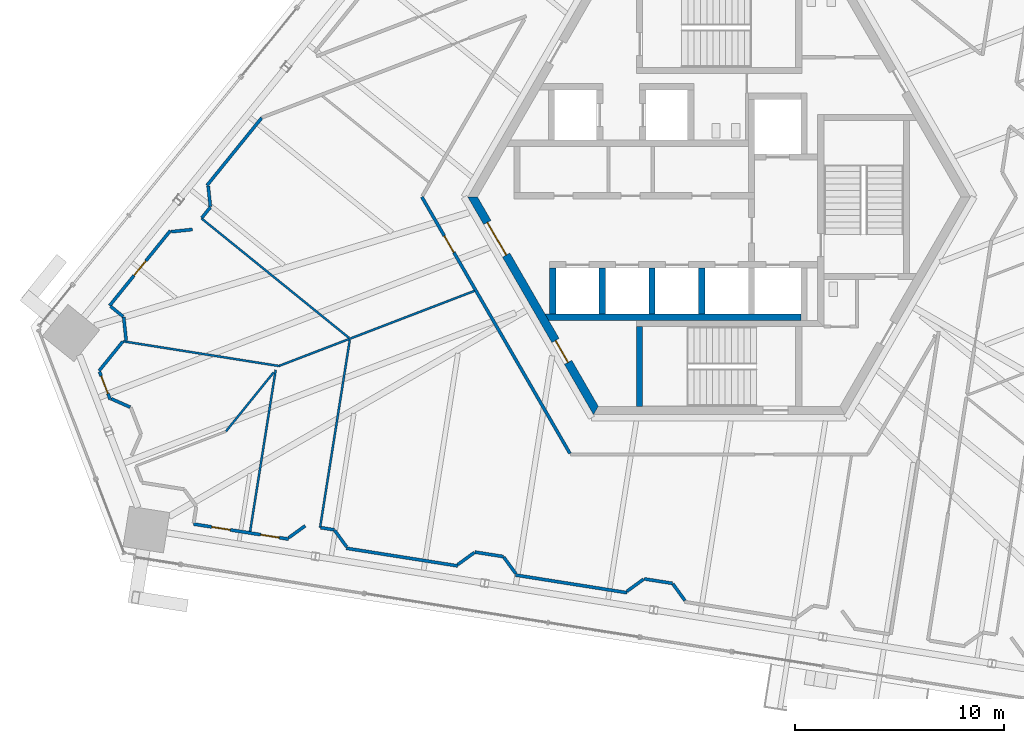
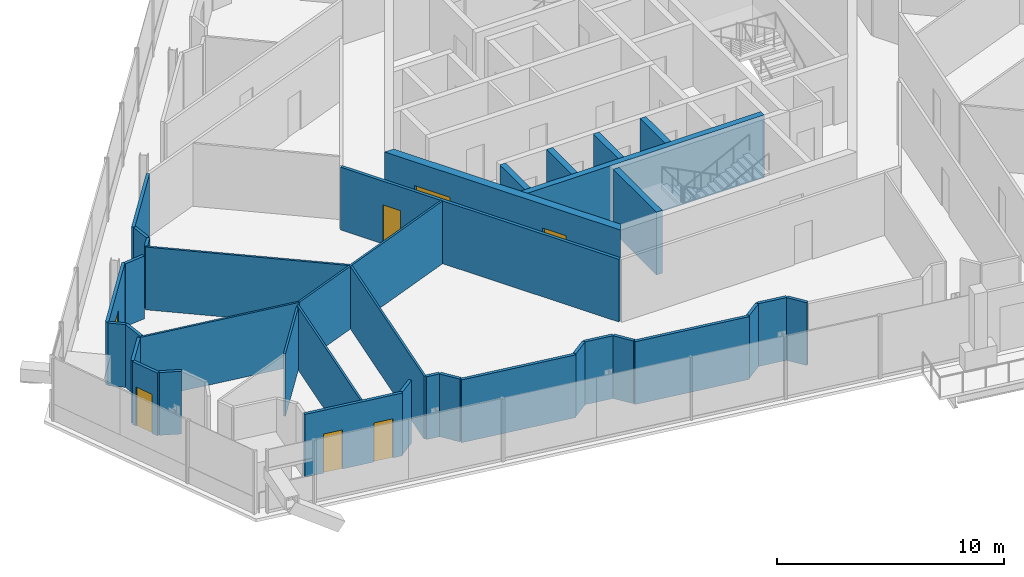
# One storey, part 13 of 23: 36 walls, 7 doors, 7 openings.
"""IFC4 building model written with IfcOpenShell, lengths in metres."""

import ifcopenshell
import ifcopenshell.guid

model = None  # the IFC model being written
_history = None  # IfcOwnerHistory: only IFC2X3 demands one
_inside = {}  # id of a spatial element -> (the spatial element, [elements in it])
_under = {}  # id of a project, library or spatial element -> (it, [spatial elements below it])
_declared = {}  # id of a project -> (the project, [libraries it declares])
_typed = {}  # id of a type object -> (the type object, [elements of that type])
_made_of = {}  # id of a material, layer set ... -> (it, [elements and type objects made of it])


def new_model(schema):
    """Start an empty IFC model of exactly this schema.

    Asked for "IFC4X3", IfcOpenShell would pick the latest addendum, in which some entities
    have other attributes; the version numbers below select the first issue.
    IFC2X3 requires an IfcOwnerHistory on every rooted entity: one is made here for all.
    """
    global model, _history
    if schema == "IFC4X3":
        model = ifcopenshell.file(schema_version=(4, 3, 0, 0))
    else:
        model = ifcopenshell.file(schema=schema)
    _inside.clear()
    _under.clear()
    _declared.clear()
    _typed.clear()
    _made_of.clear()
    _history = None
    if model.schema == "IFC2X3":
        org = make("IfcOrganization", Name="unknown")
        user = make(
            "IfcPersonAndOrganization",
            ThePerson=make("IfcPerson", FamilyName="unknown"),
            TheOrganization=org,
        )
        app = make(
            "IfcApplication",
            ApplicationDeveloper=org,
            Version="unknown",
            ApplicationFullName="unknown",
            ApplicationIdentifier="unknown",
        )
        _history = make(
            "IfcOwnerHistory",
            OwningUser=user,
            OwningApplication=app,
            ChangeAction="ADDED",
            CreationDate=0,
        )
    return model


def make(cls, **values):
    """One entity of the class cls with the attributes given. An attribute that is None is left unset."""
    return model.create_entity(
        cls, **{name: value for name, value in values.items() if value is not None}
    )


def rooted(cls, **values):
    """An entity with a GlobalId (a new one), such as an element, a storey or a relation."""
    return make(cls, GlobalId=ifcopenshell.guid.new(), OwnerHistory=_history, **values)


def si_unit(unit_type, name, prefix=None):
    """IfcSIUnit, for example si_unit("LENGTHUNIT", "METRE", prefix="MILLI")."""
    return make("IfcSIUnit", UnitType=unit_type, Prefix=prefix, Name=name)


def assignment(units):
    """IfcUnitAssignment: the units of a project."""
    return None if units is None else make("IfcUnitAssignment", Units=units)


def point(xyz):
    """IfcCartesianPoint."""
    return None if xyz is None else make("IfcCartesianPoint", Coordinates=xyz)


def direction(xyz):
    """IfcDirection."""
    return None if xyz is None else make("IfcDirection", DirectionRatios=xyz)


def frame(location, z_axis=None, x_axis=None):
    """IfcAxis2Placement3D, a coordinate frame: its origin and axes. An axis left out is left unset."""
    return make(
        "IfcAxis2Placement3D",
        Location=point(location),
        Axis=direction(z_axis),
        RefDirection=direction(x_axis),
    )


def frame_2d(location, x_axis=None):
    """IfcAxis2Placement2D, a coordinate frame in the plane: its origin and x axis."""
    return make(
        "IfcAxis2Placement2D", Location=point(location), RefDirection=direction(x_axis)
    )


def origin():
    """The frame at (0, 0, 0) with its axes left unset."""
    return frame((0.0, 0.0, 0.0))


def place(relative_to, where):
    """IfcLocalPlacement: puts the frame where relative to a parent placement (None: the world)."""
    return make(
        "IfcLocalPlacement", PlacementRelTo=relative_to, RelativePlacement=where
    )


def context(
    kind, dimensions, precision=None, world=None, true_north=None, identifier=None
):
    """IfcGeometricRepresentationContext, for example the 3D "Model" context."""
    return make(
        "IfcGeometricRepresentationContext",
        ContextIdentifier=identifier,
        ContextType=kind,
        CoordinateSpaceDimension=dimensions,
        Precision=precision,
        WorldCoordinateSystem=world,
        TrueNorth=true_north,
    )


def subcontext(parent, identifier, kind, view, scale=None):
    """IfcGeometricRepresentationSubContext, for example "Body" below "Model"."""
    return make(
        "IfcGeometricRepresentationSubContext",
        ContextIdentifier=identifier,
        ContextType=kind,
        ParentContext=parent,
        TargetScale=scale,
        TargetView=view,
    )


def project(units=None, contexts=None):
    """IfcProject with its units and contexts."""
    return rooted(
        "IfcProject",
        Name="project",
        RepresentationContexts=contexts,
        UnitsInContext=assignment(units),
    )


def spatial(cls, under=None, at=None, **own):
    """A site, building, storey or space (cls), placed at a placement, below another one or the project."""
    s = rooted(cls, ObjectPlacement=at, **own)
    if under is not None:
        _under.setdefault(under.id(), (under, []))[1].append(s)
    return s


def polyline(points):
    """IfcPolyline through the points."""
    return make("IfcPolyline", Points=[point(p) for p in points])


def profile(cls, at=None, kind="AREA", **sizes):
    """A parametric profile (cls). Its sizes go by their IFC names, for example OverallWidth=200.0."""
    return make(cls, ProfileType=kind, Position=at, **sizes)


def rectangle(**sizes):
    """IfcRectangleProfileDef."""
    return profile("IfcRectangleProfileDef", **sizes)


def outline(outer, holes=None, kind="AREA"):
    """IfcArbitraryClosedProfileDef: a profile drawn as a closed curve; with holes, ...WithVoids."""
    if holes is None:
        return make("IfcArbitraryClosedProfileDef", ProfileType=kind, OuterCurve=outer)
    return make(
        "IfcArbitraryProfileDefWithVoids",
        ProfileType=kind,
        OuterCurve=outer,
        InnerCurves=holes,
    )


def extrude(swept, where, along, depth):
    """IfcExtrudedAreaSolid: the profile swept, set in the frame where, extruded along a direction by depth."""
    return make(
        "IfcExtrudedAreaSolid",
        SweptArea=swept,
        Position=where,
        ExtrudedDirection=direction(along),
        Depth=depth,
    )


def shape(context_of_items, identifier, shape_type, items):
    """IfcShapeRepresentation: the items that make up one representation, for example the "Body"."""
    return make(
        "IfcShapeRepresentation",
        ContextOfItems=context_of_items,
        RepresentationIdentifier=identifier,
        RepresentationType=shape_type,
        Items=items,
    )


def source(mapping_origin, context_of_items, identifier, shape_type, items):
    """IfcRepresentationMap: a shape defined once, which mapped items show again and again."""
    return make(
        "IfcRepresentationMap",
        MappingOrigin=mapping_origin,
        MappedRepresentation=shape(context_of_items, identifier, shape_type, items),
    )


def transform(
    local_origin,
    x_axis=None,
    y_axis=None,
    z_axis=None,
    scale=None,
    scale2=None,
    scale3=None,
    uniform=True,
):
    """IfcCartesianTransformationOperator3D, or its non-uniform kind. x_axis, y_axis, z_axis: its Axis1, 2, 3."""
    if uniform:
        return make(
            "IfcCartesianTransformationOperator3D",
            Axis1=direction(x_axis),
            Axis2=direction(y_axis),
            LocalOrigin=point(local_origin),
            Scale=scale,
            Axis3=direction(z_axis),
        )
    return make(
        "IfcCartesianTransformationOperator3DnonUniform",
        Axis1=direction(x_axis),
        Axis2=direction(y_axis),
        LocalOrigin=point(local_origin),
        Scale=scale,
        Axis3=direction(z_axis),
        Scale2=scale2,
        Scale3=scale3,
    )


def mapped(mapping_source, mapping_target):
    """IfcMappedItem: shows the shape of a source again, moved by a transform."""
    return make(
        "IfcMappedItem", MappingSource=mapping_source, MappingTarget=mapping_target
    )


def material(Name=None, Category=None):
    """IfcMaterial."""
    return make("IfcMaterial", Name=Name, Category=Category)


def layer(
    of_material, thickness, ventilated=None, Name=None, Category=None, Priority=None
):
    """IfcMaterialLayer: one layer of a wall or slab, of a material (None: an air gap)."""
    return make(
        "IfcMaterialLayer",
        Material=of_material,
        LayerThickness=thickness,
        IsVentilated=ventilated,
        Name=Name,
        Category=Category,
        Priority=Priority,
    )


def layer_set(layers, Name=None):
    """IfcMaterialLayerSet."""
    return make("IfcMaterialLayerSet", MaterialLayers=layers, LayerSetName=Name)


def made_of(thing, what):
    """Note that an element or type object is made of a material, layer set ...; save() writes the relation."""
    if what is not None:
        _made_of.setdefault(what.id(), (what, []))[1].append(thing)
    return thing


def type_object(cls, material=None, **own):
    """A type object (cls), such as IfcWallType, which elements share."""
    return made_of(rooted(cls, **own), material)


def element(
    cls,
    number,
    at=None,
    inside=None,
    cuts=None,
    type_object=None,
    material=None,
    context=None,
    identifier="Body",
    shape_type=None,
    held_by="IfcProductDefinitionShape",
    body=None,
    shapes=None,
    **own,
):
    """One element of the class cls, such as IfcWall. Its Tag is "e" and its number.

    at: its placement. inside: the storey or other place that contains it. cuts: it is an
    opening in that element (IfcRelVoidsElement). A single representation is given by context,
    identifier, shape_type and body (its items); several are given by shapes. held_by: the class
    of the entity that holds the representations. save() writes the other relations.
    """
    e = rooted(cls, Tag="e%d" % number, ObjectPlacement=at, **own)
    if body is not None:
        shapes = [shape(context, identifier, shape_type, body)]
    if shapes is not None:
        e.Representation = make(held_by, Representations=shapes)
    if inside is not None:
        _inside.setdefault(inside.id(), (inside, []))[1].append(e)
    if cuts is not None:
        rooted(
            "IfcRelVoidsElement", RelatingBuildingElement=cuts, RelatedOpeningElement=e
        )
    if type_object is not None:
        _typed.setdefault(type_object.id(), (type_object, []))[1].append(e)
    return made_of(e, material)


def fill(opening, filler):
    """IfcRelFillsElement: the door or window that sits in an opening."""
    return rooted(
        "IfcRelFillsElement",
        RelatingOpeningElement=opening,
        RelatedBuildingElement=filler,
    )


def aggregate(whole, parts):
    """IfcRelAggregates: a whole, such as a stair, and the parts it consists of."""
    return rooted("IfcRelAggregates", RelatingObject=whole, RelatedObjects=parts)


def save(model, path):
    """Write the relations noted so far, then the file.

    IfcRelAggregates (storeys below a building ...), IfcRelContainedInSpatialStructure (elements
    in a storey), IfcRelDefinesByType, IfcRelAssociatesMaterial and IfcRelDeclares: one each for
    every whole, place, type object, material and project.
    """
    for whole, parts in _under.values():
        aggregate(whole, parts)
    for where, things in _inside.values():
        rooted(
            "IfcRelContainedInSpatialStructure",
            RelatedElements=things,
            RelatingStructure=where,
        )
    for kind, things in _typed.values():
        rooted("IfcRelDefinesByType", RelatedObjects=things, RelatingType=kind)
    for what, things in _made_of.values():
        rooted("IfcRelAssociatesMaterial", RelatedObjects=things, RelatingMaterial=what)
    for by, libraries in _declared.values():
        rooted("IfcRelDeclares", RelatingContext=by, RelatedDefinitions=libraries)
    model.write(path)


model = new_model("IFC4")

# Units and contexts
model_context = context("Model", 3, precision=1e-05, world=origin(), true_north=direction((0.0, 1.0)))
body_context = subcontext(model_context, "Body", "Model", "MODEL_VIEW")
ifc_project = project(units=[si_unit("LENGTHUNIT", "METRE"), si_unit("AREAUNIT", "SQUARE_METRE"), si_unit("VOLUMEUNIT", "CUBIC_METRE"), si_unit("PLANEANGLEUNIT", "RADIAN"), si_unit("MASSUNIT", "GRAM", prefix="KILO")], contexts=[model_context])

# Site, building, storey
site_placement = place(None, origin())
site = spatial("IfcSite", under=ifc_project, at=site_placement, CompositionType="ELEMENT")
building_placement = place(site_placement, origin())
building = spatial("IfcBuilding", under=site, at=building_placement, Name="Triune Harvest Tower", CompositionType="ELEMENT")
storey_placement = place(building_placement, frame((0.0, 0.0, 171.300048828125)))
storey = spatial("IfcBuildingStorey", under=building, at=storey_placement, Name="L44", CompositionType="ELEMENT", Elevation=171.300048828125)

# Wall
ifc_material_1 = material(Name="Concrete 70 MPa", Category="concrete")
ifc_layer_1 = layer(ifc_material_1, 0.300048828125)
ifc_layer_set_1 = layer_set([ifc_layer_1], Name="Concrete 70 MPa")
wall_type_1 = type_object("IfcWallType", Name="Core wall 300", PredefinedType="SHEAR", material=ifc_layer_set_1)
wall_1_placement = place(storey_placement, frame((-8.10009765625, -5.739990234375, 0.0), z_axis=(0.0, 0.0, 1.0), x_axis=(1.0, 0.0, 0.0)))
element("IfcWall", 1, at=wall_1_placement, inside=storey, type_object=wall_type_1, Name="South back wall", PredefinedType="SHEAR", context=body_context, shape_type="SweptSolid", body=[
    extrude(outline(polyline([(12.0, -0.14990234375), (-0.039794921875, -0.14990234375), (-0.212890625, 0.14990234375), (12.0, 0.14990234375), (12.0, -0.14990234375)])), origin(), (0.0, 0.0, 1.0), 3.375),
])

# Wall, opening, door
ifc_material_2 = material(Name="Gypsum board on steel studs", Category="steel")
ifc_layer_2 = layer(ifc_material_2, 0.14990234375)
ifc_layer_set_2 = layer_set([ifc_layer_2], Name="Gypsum board on steel studs")
wall_type_2 = type_object("IfcWallType", Name="Fire Partition 150 mm", PredefinedType="PARTITIONING", material=ifc_layer_set_2)
wall_2_placement = place(storey_placement, frame((-29.5830078125, -8.34619140625, 0.0), z_axis=(0.0, 0.0, 1.0), x_axis=(0.358391004952, -0.933571576029, 0.0)))
wall_2 = element("IfcWall", 2, at=wall_2_placement, inside=storey, type_object=wall_type_2, Name="Partition L44 007", PredefinedType="PARTITIONING", context=body_context, shape_type="SweptSolid", body=[
    extrude(rectangle(XDim=1.4189453125, YDim=0.14990234375, at=frame_2d((0.70947265625, 0.0))), origin(), (0.0, 0.0, 1.0), 3.375),
])
opening_1_placement = place(wall_2_placement, frame((0.218017578125, 0.0, 0.0)))
opening_1 = element("IfcOpeningElement", 3, at=opening_1_placement, cuts=wall_2, Name="Opening L44-022", PredefinedType="OPENING", context=body_context, shape_type="SweptSolid", body=[
    extrude(rectangle(XDim=0.89990234375, YDim=2.10009765625, at=frame_2d((0.449951171875, 1.050048828125))), frame((0.0, 0.0849609375, 0.0), z_axis=(0.0, -1.0, 0.0), x_axis=(1.0, 0.0, 0.0)), (0.0, 0.0, 1.0), 0.169921875),
])
ifc_material_3 = material(Name="Timber and steel door set", Category="steel")
door_type_1 = type_object("IfcDoorType", Name="Single leaf door FD30 left hand 900 x 2100", OperationType="SINGLE_SWING_LEFT", PredefinedType="DOOR", material=ifc_material_3)
door_1_placement = place(opening_1_placement, origin())
door_1 = element("IfcDoor", 4, at=door_1_placement, inside=storey, type_object=door_type_1, Name="Door L44-022 Open Office 44.22", OperationType="SINGLE_SWING_LEFT", OverallHeight=2.10009765625, OverallWidth=0.89990234375, PredefinedType="DOOR", context=body_context, shape_type="SweptSolid", body=[
    extrude(rectangle(XDim=0.89990234375, YDim=2.10009765625, at=frame_2d((0.449951171875, 1.050048828125))), frame((0.0, 0.02490234375, 0.0), z_axis=(0.0, -1.0, 0.0), x_axis=(1.0, 0.0, 0.0)), (0.0, 0.0, 1.0), 0.050048828125),
])
fill(opening_1, door_1)

wall_3_placement = place(storey_placement, frame((-14.19384765625, 0.0, 0.0), z_axis=(0.0, 0.0, 1.0), x_axis=(0.499989413994, -0.866031515532, 0.0)))
wall_3 = element("IfcWall", 5, at=wall_3_placement, inside=storey, type_object=wall_type_2, Name="Partition L44 024", PredefinedType="PARTITIONING", context=body_context, shape_type="SweptSolid", body=[
    extrude(rectangle(XDim=14.143798828125, YDim=0.14990234375, at=frame_2d((7.07177734375, 0.0))), origin(), (0.0, 0.0, 1.0), 3.375),
])
opening_2_placement = place(wall_3_placement, frame((2.14990234375, 0.0, 0.0)))
opening_2 = element("IfcOpeningElement", 6, at=opening_2_placement, cuts=wall_3, Name="Opening L44-020", PredefinedType="OPENING", context=body_context, shape_type="SweptSolid", body=[
    extrude(rectangle(XDim=0.89990234375, YDim=2.10009765625, at=frame_2d((0.449951171875, 1.050048828125))), frame((0.0, 0.0849609375, 0.0), z_axis=(0.0, -1.0, 0.0), x_axis=(1.0, 0.0, 0.0)), (0.0, 0.0, 1.0), 0.169921875),
])
ifc_material_4 = material(Name="Timber and steel door set", Category="steel")
door_type_2 = type_object("IfcDoorType", Name="Single leaf door FD30 right hand 900 x 2100", OperationType="SINGLE_SWING_RIGHT", PredefinedType="DOOR", material=ifc_material_4)
door_2_placement = place(opening_2_placement, origin())
door_2 = element("IfcDoor", 7, at=door_2_placement, inside=storey, type_object=door_type_2, Name="Door L44-020 Office 44.20", OperationType="SINGLE_SWING_RIGHT", OverallHeight=2.10009765625, OverallWidth=0.89990234375, PredefinedType="DOOR", context=body_context, shape_type="SweptSolid", body=[
    extrude(rectangle(XDim=0.89990234375, YDim=2.10009765625, at=frame_2d((0.449951171875, 1.050048828125))), frame((0.0, 0.02490234375, 0.0), z_axis=(0.0, -1.0, 0.0), x_axis=(1.0, 0.0, 0.0)), (0.0, 0.0, 1.0), 0.050048828125),
])
fill(opening_2, door_2)

# Wall, openings, doors
wall_4_placement = place(storey_placement, frame((-25.097412109375, -15.61669921875, 0.0), z_axis=(0.0, 0.0, 1.0), x_axis=(0.987687604806, -0.15643911056, 0.0)))
wall_4 = element("IfcWall", 8, at=wall_4_placement, inside=storey, type_object=wall_type_2, Name="Partition L44 055", PredefinedType="PARTITIONING", context=body_context, shape_type="SweptSolid", body=[
    extrude(rectangle(XDim=4.603759765625, YDim=0.14990234375, at=frame_2d((2.3017578125, 0.0))), origin(), (0.0, 0.0, 1.0), 3.375),
])
opening_3_placement = place(wall_4_placement, frame((0.875244140625, 0.0, 0.0)))
opening_3 = element("IfcOpeningElement", 9, at=opening_3_placement, cuts=wall_4, Name="Opening L44-023", PredefinedType="OPENING", context=body_context, shape_type="SweptSolid", body=[
    extrude(rectangle(XDim=0.89990234375, YDim=2.10009765625, at=frame_2d((0.449951171875, 1.050048828125))), frame((0.0, 0.0849609375, 0.0), z_axis=(0.0, -1.0, 0.0), x_axis=(1.0, 0.0, 0.0)), (0.0, 0.0, 1.0), 0.169921875),
])
opening_4_placement = place(wall_4_placement, frame((3.253662109375, 0.0, 0.0)))
opening_4 = element("IfcOpeningElement", 10, at=opening_4_placement, cuts=wall_4, Name="Opening L44-024", PredefinedType="OPENING", context=body_context, shape_type="SweptSolid", body=[
    extrude(rectangle(XDim=0.89990234375, YDim=2.10009765625, at=frame_2d((0.449951171875, 1.050048828125))), frame((0.0, 0.0849609375, 0.0), z_axis=(0.0, -1.0, 0.0), x_axis=(1.0, 0.0, 0.0)), (0.0, 0.0, 1.0), 0.169921875),
])
door_3_placement = place(opening_3_placement, origin())
door_3 = element("IfcDoor", 11, at=door_3_placement, inside=storey, type_object=door_type_1, Name="Door L44-023 Office 44.23", OperationType="SINGLE_SWING_LEFT", OverallHeight=2.10009765625, OverallWidth=0.89990234375, PredefinedType="DOOR", context=body_context, shape_type="SweptSolid", body=[
    extrude(rectangle(XDim=0.89990234375, YDim=2.10009765625, at=frame_2d((0.449951171875, 1.050048828125))), frame((0.0, 0.02490234375, 0.0), z_axis=(0.0, -1.0, 0.0), x_axis=(1.0, 0.0, 0.0)), (0.0, 0.0, 1.0), 0.050048828125),
])
fill(opening_3, door_3)
door_4_placement = place(opening_4_placement, origin())
door_4 = element("IfcDoor", 12, at=door_4_placement, inside=storey, type_object=door_type_2, Name="Door L44-024 Office 44.24", OperationType="SINGLE_SWING_RIGHT", OverallHeight=2.10009765625, OverallWidth=0.89990234375, PredefinedType="DOOR", context=body_context, shape_type="SweptSolid", body=[
    extrude(rectangle(XDim=0.89990234375, YDim=2.10009765625, at=frame_2d((0.449951171875, 1.050048828125))), frame((0.0, 0.02490234375, 0.0), z_axis=(0.0, -1.0, 0.0), x_axis=(1.0, 0.0, 0.0)), (0.0, 0.0, 1.0), 0.050048828125),
])
fill(opening_4, door_4)

# Walls
wall_5_placement = place(storey_placement, frame((-20.55126953125, -16.2724609375, 0.0), z_axis=(0.0, 0.0, 1.0), x_axis=(0.808996267662, 0.587813779107, 0.0)))
element("IfcWall", 13, at=wall_5_placement, inside=storey, type_object=wall_type_2, Name="Partition L44 104", PredefinedType="PARTITIONING", context=body_context, shape_type="SweptSolid", body=[
    extrude(rectangle(XDim=0.9736328125, YDim=0.14990234375, at=frame_2d((0.48681640625, 0.0))), origin(), (0.0, 0.0, 1.0), 3.375),
])
wall_6_placement = place(storey_placement, frame((-29.6015625, -8.298095703125, 0.0), z_axis=(0.0, 0.0, 1.0), x_axis=(0.629304066971, 0.777159180151, 0.0)))
element("IfcWall", 14, at=wall_6_placement, inside=storey, type_object=wall_type_2, Name="Partition L44 110", PredefinedType="PARTITIONING", context=body_context, shape_type="SweptSolid", body=[
    extrude(rectangle(XDim=1.79150390625, YDim=0.14990234375, at=frame_2d((0.895751953125, 0.0))), origin(), (0.0, 0.0, 1.0), 3.375),
])
wall_7_placement = place(storey_placement, frame((-24.700439453125, -0.99462890625, 0.0), z_axis=(0.0, 0.0, 1.0), x_axis=(0.629230398417, 0.777218827428, 0.0)))
element("IfcWall", 15, at=wall_7_placement, inside=storey, type_object=wall_type_2, Name="Partition L44 112", PredefinedType="PARTITIONING", context=body_context, shape_type="SweptSolid", body=[
    extrude(rectangle(XDim=0.655029296875, YDim=0.14990234375, at=frame_2d((0.32763671875, 0.0))), origin(), (0.0, 0.0, 1.0), 3.375),
])

# Wall, opening, door
wall_8_placement = place(storey_placement, frame((-29.1005859375, -5.1875, 0.0), z_axis=(0.0, 0.0, 1.0), x_axis=(0.629301966371, 0.777160881106, 0.0)))
wall_8 = element("IfcWall", 16, at=wall_8_placement, inside=storey, type_object=wall_type_2, Name="Partition L44 116", PredefinedType="PARTITIONING", context=body_context, shape_type="SweptSolid", body=[
    extrude(rectangle(XDim=4.603515625, YDim=0.14990234375, at=frame_2d((2.3017578125, 0.0))), origin(), (0.0, 0.0, 1.0), 3.375),
])
opening_5_placement = place(wall_8_placement, frame((1.849853515625, 0.0, 0.0)))
opening_5 = element("IfcOpeningElement", 17, at=opening_5_placement, cuts=wall_8, Name="Opening L44-021", PredefinedType="OPENING", context=body_context, shape_type="SweptSolid", body=[
    extrude(rectangle(XDim=0.89990234375, YDim=2.10009765625, at=frame_2d((0.449951171875, 1.050048828125))), frame((0.0, 0.0849609375, 0.0), z_axis=(0.0, -1.0, 0.0), x_axis=(1.0, 0.0, 0.0)), (0.0, 0.0, 1.0), 0.169921875),
])
door_5_placement = place(opening_5_placement, origin())
door_5 = element("IfcDoor", 18, at=door_5_placement, inside=storey, type_object=door_type_2, Name="Door L44-021 Pantry 44.21", OperationType="SINGLE_SWING_RIGHT", OverallHeight=2.10009765625, OverallWidth=0.89990234375, PredefinedType="DOOR", context=body_context, shape_type="SweptSolid", body=[
    extrude(rectangle(XDim=0.89990234375, YDim=2.10009765625, at=frame_2d((0.449951171875, 1.050048828125))), frame((0.0, 0.02490234375, 0.0), z_axis=(0.0, -1.0, 0.0), x_axis=(1.0, 0.0, 0.0)), (0.0, 0.0, 1.0), 0.050048828125),
])
fill(opening_5, door_5)

# Walls
wall_9_placement = place(storey_placement, frame((-24.4521484375, 0.552978515625, 0.0), z_axis=(0.0, 0.0, 1.0), x_axis=(0.629321848013, 0.777144781629, 0.0)))
element("IfcWall", 19, at=wall_9_placement, inside=storey, type_object=wall_type_2, Name="Partition L44 117", PredefinedType="PARTITIONING", context=body_context, shape_type="SweptSolid", body=[
    extrude(rectangle(XDim=4.147216796875, YDim=0.14990234375, at=frame_2d((2.07373046875, 0.0))), origin(), (0.0, 0.0, 1.0), 3.375),
])
ifc_material_5 = material(Name="Gypsum board on steel studs", Category="steel")
ifc_layer_3 = layer(ifc_material_5, 0.10009765625)
ifc_layer_set_3 = layer_set([ifc_layer_3], Name="Gypsum board on steel studs")
wall_type_3 = type_object("IfcWallType", Name="Partition 100 mm", PredefinedType="PARTITIONING", material=ifc_layer_set_3)
wall_10_placement = place(storey_placement, frame((-24.72119140625, -1.019775390625, 0.0), z_axis=(0.0, 0.0, 1.0), x_axis=(0.777144571222, -0.629322107843, 0.0)))
element("IfcWall", 20, at=wall_10_placement, inside=storey, type_object=wall_type_3, Name="Partition L44 035", PredefinedType="PARTITIONING", context=body_context, shape_type="SweptSolid", body=[
    extrude(rectangle(XDim=9.070556640625, YDim=0.10009765625, at=frame_2d((4.53515625, 0.0))), origin(), (0.0, 0.0, 1.0), 3.375),
])
wall_11_placement = place(storey_placement, frame((-28.461181640625, -6.89111328125, 0.0), z_axis=(0.0, 0.0, 1.0), x_axis=(0.987687167886, -0.156441869053, 0.0)))
element("IfcWall", 21, at=wall_11_placement, inside=storey, type_object=wall_type_3, Name="Partition L44 069", PredefinedType="PARTITIONING", context=body_context, shape_type="SweptSolid", body=[
    extrude(rectangle(XDim=7.532958984375, YDim=0.10009765625, at=frame_2d((3.7666015625, 0.0))), origin(), (0.0, 0.0, 1.0), 3.375),
])
wall_12_placement = place(storey_placement, frame((-21.02099609375, -8.069580078125, 0.0), z_axis=(0.0, 0.0, 1.0), x_axis=(0.933572944444, 0.358387440352, 0.0)))
element("IfcWall", 22, at=wall_12_placement, inside=storey, type_object=wall_type_3, Name="Partition L44 089", PredefinedType="PARTITIONING", context=body_context, shape_type="SweptSolid", body=[
    extrude(rectangle(XDim=10.01123046875, YDim=0.10009765625, at=frame_2d((5.005615234375, 0.0))), origin(), (0.0, 0.0, 1.0), 3.375),
])
wall_13_placement = place(storey_placement, frame((-23.544677734375, -11.185546875, 0.0), z_axis=(0.0, 0.0, 1.0), x_axis=(0.629314630816, 0.777150625967, 0.0)))
element("IfcWall", 23, at=wall_13_placement, inside=storey, type_object=wall_type_3, Name="Partition L44 109", PredefinedType="PARTITIONING", context=body_context, shape_type="SweptSolid", body=[
    extrude(rectangle(XDim=3.619873046875, YDim=0.10009765625, at=frame_2d((1.81005859375, 0.0))), origin(), (0.0, 0.0, 1.0), 3.375),
])

# Wall, openings, doors
ifc_material_6 = material(Name="Concrete 70 MPa", Category="concrete")
ifc_layer_4 = layer(ifc_material_6, 0.39990234375)
ifc_layer_set_4 = layer_set([ifc_layer_4], Name="Concrete 70 MPa")
wall_type_4 = type_object("IfcWallType", Name="Core wall 400", PredefinedType="SHEAR", material=ifc_layer_set_4)
shared_shape_1 = source(origin(), body_context, "Body", "SweptSolid", [
    extrude(outline(polyline([(-0.115478515625, -0.199951171875), (11.884521484375, -0.199951171875), (11.653564453125, 0.199951171875), (0.115478515625, 0.199951171875), (-0.115478515625, -0.199951171875)])), origin(), (0.0, 0.0, 1.0), 3.375),
])
wall_14_placement = place(storey_placement, frame((-11.76904296875, 0.0, 0.0), z_axis=(0.0, 0.0, 1.0), x_axis=(0.499996592174, -0.866027371285, 0.0)))
wall_14 = element("IfcWall", 24, at=wall_14_placement, inside=storey, type_object=wall_type_4, Name="Hexagon 3 wall", PredefinedType="SHEAR", context=body_context, shape_type="MappedRepresentation", body=[
    mapped(shared_shape_1, transform((0.0, 0.0, 0.0), scale=1.0)),
])
opening_6_placement = place(wall_14_placement, frame((1.404541015625, 0.0, 0.0)))
opening_6 = element("IfcOpeningElement", 25, at=opening_6_placement, cuts=wall_14, Name="Opening CD-LS", PredefinedType="OPENING", context=body_context, shape_type="SweptSolid", body=[
    extrude(rectangle(XDim=1.800048828125, YDim=2.10009765625, at=frame_2d((0.89990234375, 1.050048828125))), frame((0.0, 0.2099609375, 0.0), z_axis=(0.0, -1.0, 0.0), x_axis=(1.0, 0.0, 0.0)), (0.0, 0.0, 1.0), 0.419921875),
])
opening_7_placement = place(wall_14_placement, frame((7.91455078125, 0.0, 0.0)))
opening_7 = element("IfcOpeningElement", 26, at=opening_7_placement, cuts=wall_14, Name="Opening CD-SWP", PredefinedType="OPENING", context=body_context, shape_type="SweptSolid", body=[
    extrude(rectangle(XDim=1.199951171875, YDim=2.10009765625, at=frame_2d((0.60009765625, 1.050048828125))), frame((0.0, 0.2099609375, 0.0), z_axis=(0.0, -1.0, 0.0), x_axis=(1.0, 0.0, 0.0)), (0.0, 0.0, 1.0), 0.419921875),
])
ifc_material_7 = material(Name="Steel S235", Category="steel")
door_type_3 = type_object("IfcDoorType", Name="Lobby door 1800 FD120", OperationType="DOUBLE_DOOR_DOUBLE_SWING", PredefinedType="DOOR", material=ifc_material_7)
door_6_placement = place(opening_6_placement, frame((1.800048828125, 0.0, 0.0), z_axis=(0.0, 0.0, 1.0), x_axis=(-1.0, 0.0, 0.0)))
door_6 = element("IfcDoor", 27, at=door_6_placement, inside=storey, type_object=door_type_3, Name="Door CD-LS", OperationType="DOUBLE_DOOR_DOUBLE_SWING", OverallHeight=2.10009765625, OverallWidth=1.800048828125, PredefinedType="DOOR", context=body_context, shape_type="SweptSolid", body=[
    extrude(rectangle(XDim=1.800048828125, YDim=2.10009765625, at=frame_2d((0.89990234375, 1.050048828125))), frame((0.0, 0.02490234375, 0.0), z_axis=(0.0, -1.0, 0.0), x_axis=(1.0, 0.0, 0.0)), (0.0, 0.0, 1.0), 0.050048828125),
])
fill(opening_6, door_6)
ifc_material_8 = material(Name="Steel S235", Category="steel")
door_type_4 = type_object("IfcDoorType", Name="Service door 1200 FD120", OperationType="SINGLE_SWING_LEFT", PredefinedType="DOOR", material=ifc_material_8)
door_7_placement = place(opening_7_placement, frame((1.199951171875, 0.0, 0.0), z_axis=(0.0, 0.0, 1.0), x_axis=(-1.0, 0.0, 0.0)))
door_7 = element("IfcDoor", 28, at=door_7_placement, inside=storey, type_object=door_type_4, Name="Door CD-SWP", OperationType="SINGLE_SWING_RIGHT", OverallHeight=2.10009765625, OverallWidth=1.199951171875, PredefinedType="DOOR", context=body_context, shape_type="SweptSolid", body=[
    extrude(rectangle(XDim=1.199951171875, YDim=2.10009765625, at=frame_2d((0.60009765625, 1.050048828125))), frame((0.0, 0.02490234375, 0.0), z_axis=(0.0, -1.0, 0.0), x_axis=(1.0, 0.0, 0.0)), (0.0, 0.0, 1.0), 0.050048828125),
])
fill(opening_7, door_7)

# Walls
shared_shape_2 = source(origin(), body_context, "Body", "SweptSolid", [
    extrude(rectangle(XDim=2.2001953125, YDim=0.300048828125, at=frame_2d((1.10009765625, 0.0))), origin(), (0.0, 0.0, 1.0), 3.375),
])
for number, where, z_axis, x_axis, name in (
    (29, (-7.949951171875, -5.590087890625, 0.0), (0.0, 0.0, 1.0), (0.0, 1.0, 0.0), "South end west wall"),
    (30, (-5.574951171875, -5.590087890625, 0.0), (0.0, 0.0, 1.0), (0.0, 1.0, 0.0), "South cross 1 wall"),
    (31, (-3.199951171875, -5.590087890625, 0.0), (0.0, 0.0, 1.0), (0.0, 1.0, 0.0), "South cross 2 wall"),
    (32, (-0.824951171875, -5.590087890625, 0.0), (0.0, 0.0, 1.0), (0.0, 1.0, 0.0), "South cross 3 wall"),
):
    element("IfcWall", number, at=place(storey_placement, frame(where, z_axis=z_axis, x_axis=x_axis)), inside=storey, type_object=wall_type_1, Name=name, PredefinedType="SHEAR", context=body_context, shape_type="MappedRepresentation", body=[
        mapped(shared_shape_2, transform((0.0, 0.0, 0.0), scale=1.0)),
    ])
shared_shape_3 = source(origin(), body_context, "Body", "SweptSolid", [
    extrude(outline(polyline([(3.800048828125, -0.14990234375), (-0.00439453125, -0.14990234375), (-0.00439453125, 0.14990234375), (3.800048828125, 0.14990234375), (3.800048828125, -0.14990234375)])), origin(), (0.0, 0.0, 1.0), 3.375),
])
wall_15_placement = place(storey_placement, frame((-3.800048828125, -9.989990234375, 0.0), z_axis=(0.0, 0.0, 1.0), x_axis=(0.0, 1.0, 0.0)))
element("IfcWall", 33, at=wall_15_placement, inside=storey, type_object=wall_type_1, Name="Stair s west wall", PredefinedType="SHEAR", context=body_context, shape_type="MappedRepresentation", body=[
    mapped(shared_shape_3, transform((0.0, 0.0, 0.0), scale=1.0)),
])
shared_shape_4 = source(origin(), body_context, "Body", "SweptSolid", [
    extrude(rectangle(XDim=1.141845703125, YDim=0.14990234375, at=frame_2d((0.57080078125, 0.0))), origin(), (0.0, 0.0, 1.0), 3.375),
])
wall_16_placement = place(storey_placement, frame((-28.429931640625, -5.730712890625, 0.0), z_axis=(0.0, 0.0, 1.0), x_axis=(0.104562344696, -0.994518333703, 0.0)))
element("IfcWall", 34, at=wall_16_placement, inside=storey, type_object=wall_type_2, Name="Partition L44 001", PredefinedType="PARTITIONING", context=body_context, shape_type="MappedRepresentation", body=[
    mapped(shared_shape_4, transform((0.0, 0.0, 0.0), scale=1.0)),
])
shared_shape_5 = source(origin(), body_context, "Body", "SweptSolid", [
    extrude(rectangle(XDim=0.983642578125, YDim=0.14990234375, at=frame_2d((0.49169921875, 0.0))), origin(), (0.0, 0.0, 1.0), 3.375),
])
for number, where, z_axis, x_axis, name in (
    (35, (-24.3955078125, 0.521484375, 0.0), (0.0, 0.0, 1.0), (0.104490984784, -0.994525833802, 0.0), "Partition L44 002"),
    (36, (-29.019287109375, -9.636962890625, 0.0), (0.0, 0.0, 1.0), (0.913535017708, -0.406760090743, 0.0), "Partition L44 050"),
    (37, (-4.402587890625, -18.830078125, 0.0), (0.0, 0.0, 1.0), (0.809079379238, 0.587699377311, 0.0), "Partition L44 102"),
):
    element("IfcWall", number, at=place(storey_placement, frame(where, z_axis=z_axis, x_axis=x_axis)), inside=storey, type_object=wall_type_2, Name=name, PredefinedType="PARTITIONING", context=body_context, shape_type="MappedRepresentation", body=[
        mapped(shared_shape_5, transform((0.0, 0.0, 0.0), scale=1.0)),
    ])
shared_shape_6 = source(origin(), body_context, "Body", "SweptSolid", [
    extrude(rectangle(XDim=0.9833984375, YDim=0.14990234375, at=frame_2d((0.49169921875, 0.0))), origin(), (0.0, 0.0, 1.0), 3.375),
])
for number, where, z_axis, x_axis, name in (
    (38, (-18.35888671875, -15.91552734375, 0.0), (0.0, 0.0, 1.0), (0.587817405052, -0.808993633051, 0.0), "Partition L44 028"),
    (39, (-10.284423828125, -17.1943359375, 0.0), (0.0, 0.0, 1.0), (0.587817405052, -0.808993633051, 0.0), "Partition L44 029"),
    (40, (-2.2099609375, -18.47314453125, 0.0), (0.0, 0.0, 1.0), (0.587817405052, -0.808993633051, 0.0), "Partition L44 030"),
    (41, (-12.476806640625, -17.55126953125, 0.0), (0.0, 0.0, 1.0), (0.808993633051, 0.587817405052, 0.0), "Partition L44 103"),
):
    element("IfcWall", number, at=place(storey_placement, frame(where, z_axis=z_axis, x_axis=x_axis)), inside=storey, type_object=wall_type_2, Name=name, PredefinedType="PARTITIONING", context=body_context, shape_type="MappedRepresentation", body=[
        mapped(shared_shape_6, transform((0.0, 0.0, 0.0), scale=1.0)),
    ])
shared_shape_7 = source(origin(), body_context, "Body", "SweptSolid", [
    extrude(rectangle(XDim=5.3916015625, YDim=0.14990234375, at=frame_2d((2.69580078125, 0.0))), origin(), (0.0, 0.0, 1.0), 3.375),
])
wall_17_placement = place(storey_placement, frame((-9.7265625, -18.05126953125, 0.0), z_axis=(0.0, 0.0, 1.0), x_axis=(0.987686111522, -0.156448538204, 0.0)))
element("IfcWall", 42, at=wall_17_placement, inside=storey, type_object=wall_type_2, Name="Partition L44 057", PredefinedType="PARTITIONING", context=body_context, shape_type="MappedRepresentation", body=[
    mapped(shared_shape_7, transform((0.0, 0.0, 0.0), scale=1.0)),
])
shared_shape_8 = source(origin(), body_context, "Body", "SweptSolid", [
    extrude(rectangle(XDim=5.391845703125, YDim=0.14990234375, at=frame_2d((2.69580078125, 0.0))), origin(), (0.0, 0.0, 1.0), 3.375),
])
wall_18_placement = place(storey_placement, frame((-17.801513671875, -16.7724609375, 0.0), z_axis=(0.0, 0.0, 1.0), x_axis=(0.987694215248, -0.156397369434, 0.0)))
element("IfcWall", 43, at=wall_18_placement, inside=storey, type_object=wall_type_2, Name="Partition L44 056", PredefinedType="PARTITIONING", context=body_context, shape_type="MappedRepresentation", body=[
    mapped(shared_shape_8, transform((0.0, 0.0, 0.0), scale=1.0)),
])
shared_shape_9 = source(origin(), body_context, "Body", "SweptSolid", [
    extrude(rectangle(XDim=0.782958984375, YDim=0.14990234375, at=frame_2d((0.3916015625, 0.0))), origin(), (0.0, 0.0, 1.0), 3.375),
])
wall_19_placement = place(storey_placement, frame((-29.0615234375, -5.218994140625, 0.0), z_axis=(0.0, 0.0, 1.0), x_axis=(0.777143187217, -0.629323816936, 0.0)))
element("IfcWall", 44, at=wall_19_placement, inside=storey, type_object=wall_type_2, Name="Partition L44 034", PredefinedType="PARTITIONING", context=body_context, shape_type="MappedRepresentation", body=[
    mapped(shared_shape_9, transform((0.0, 0.0, 0.0), scale=1.0)),
])
shared_shape_10 = source(origin(), body_context, "Body", "SweptSolid", [
    extrude(rectangle(XDim=0.654296875, YDim=0.14990234375, at=frame_2d((0.3271484375, 0.0))), origin(), (0.0, 0.0, 1.0), 3.375),
])
wall_20_placement = place(storey_placement, frame((-19.021484375, -15.7900390625, 0.0), z_axis=(0.0, 0.0, 1.0), x_axis=(0.98770238175, -0.156345786911, 0.0)))
element("IfcWall", 45, at=wall_20_placement, inside=storey, type_object=wall_type_2, Name="Partition L44 062", PredefinedType="PARTITIONING", context=body_context, shape_type="MappedRepresentation", body=[
    mapped(shared_shape_10, transform((0.0, 0.0, 0.0), scale=1.0)),
])
shared_shape_11 = source(origin(), body_context, "Body", "SweptSolid", [
    extrude(rectangle(XDim=1.371826171875, YDim=0.14990234375, at=frame_2d((0.68603515625, 0.0))), origin(), (0.0, 0.0, 1.0), 3.375),
])
for number, where, z_axis, x_axis, name in (
    (46, (-11.656982421875, -16.9560546875, 0.0), (0.0, 0.0, 1.0), (0.987716746821, -0.156255009677, 0.0), "Partition L44 063"),
    (47, (-3.58251953125, -18.234375, 0.0), (0.0, 0.0, 1.0), (0.98768926567, -0.156428624238, 0.0), "Partition L44 064"),
):
    element("IfcWall", number, at=place(storey_placement, frame(where, z_axis=z_axis, x_axis=x_axis)), inside=storey, type_object=wall_type_2, Name=name, PredefinedType="PARTITIONING", context=body_context, shape_type="MappedRepresentation", body=[
        mapped(shared_shape_11, transform((0.0, 0.0, 0.0), scale=1.0)),
    ])
shared_shape_12 = source(origin(), body_context, "Body", "SweptSolid", [
    extrude(rectangle(XDim=1.013916015625, YDim=0.14990234375, at=frame_2d((0.5068359375, 0.0))), origin(), (0.0, 0.0, 1.0), 3.375),
])
wall_21_placement = place(storey_placement, frame((-26.1611328125, -1.65869140625, 0.0), z_axis=(0.0, 0.0, 1.0), x_axis=(0.994523910136, 0.104509292252, 0.0)))
element("IfcWall", 48, at=wall_21_placement, inside=storey, type_object=wall_type_2, Name="Partition L44 078", PredefinedType="PARTITIONING", context=body_context, shape_type="MappedRepresentation", body=[
    mapped(shared_shape_12, transform((0.0, 0.0, 0.0), scale=1.0)),
])
shared_shape_13 = source(origin(), body_context, "Body", "SweptSolid", [
    extrude(rectangle(XDim=7.884521484375, YDim=0.10009765625, at=frame_2d((3.9423828125, 0.0))), origin(), (0.0, 0.0, 1.0), 3.375),
])
wall_22_placement = place(storey_placement, frame((-22.405517578125, -16.043212890625, 0.0), z_axis=(0.0, 0.0, 1.0), x_axis=(0.156434812633, 0.987688285542, 0.0)))
element("IfcWall", 49, at=wall_22_placement, inside=storey, type_object=wall_type_3, Name="Partition L44 143", PredefinedType="PARTITIONING", context=body_context, shape_type="MappedRepresentation", body=[
    mapped(shared_shape_13, transform((0.0, 0.0, 0.0), scale=1.0)),
])
shared_shape_14 = source(origin(), body_context, "Body", "SweptSolid", [
    extrude(rectangle(XDim=9.060546875, YDim=0.10009765625, at=frame_2d((4.5302734375, 0.0))), origin(), (0.0, 0.0, 1.0), 3.375),
])
wall_23_placement = place(storey_placement, frame((-19.0537109375, -15.783935546875, 0.0), z_axis=(0.0, 0.0, 1.0), x_axis=(0.156419175394, 0.987690762116, 0.0)))
element("IfcWall", 50, at=wall_23_placement, inside=storey, type_object=wall_type_3, Name="Partition L44 142", PredefinedType="PARTITIONING", context=body_context, shape_type="MappedRepresentation", body=[
    mapped(shared_shape_14, transform((0.0, 0.0, 0.0), scale=1.0)),
])

save(model, "model.ifc")
